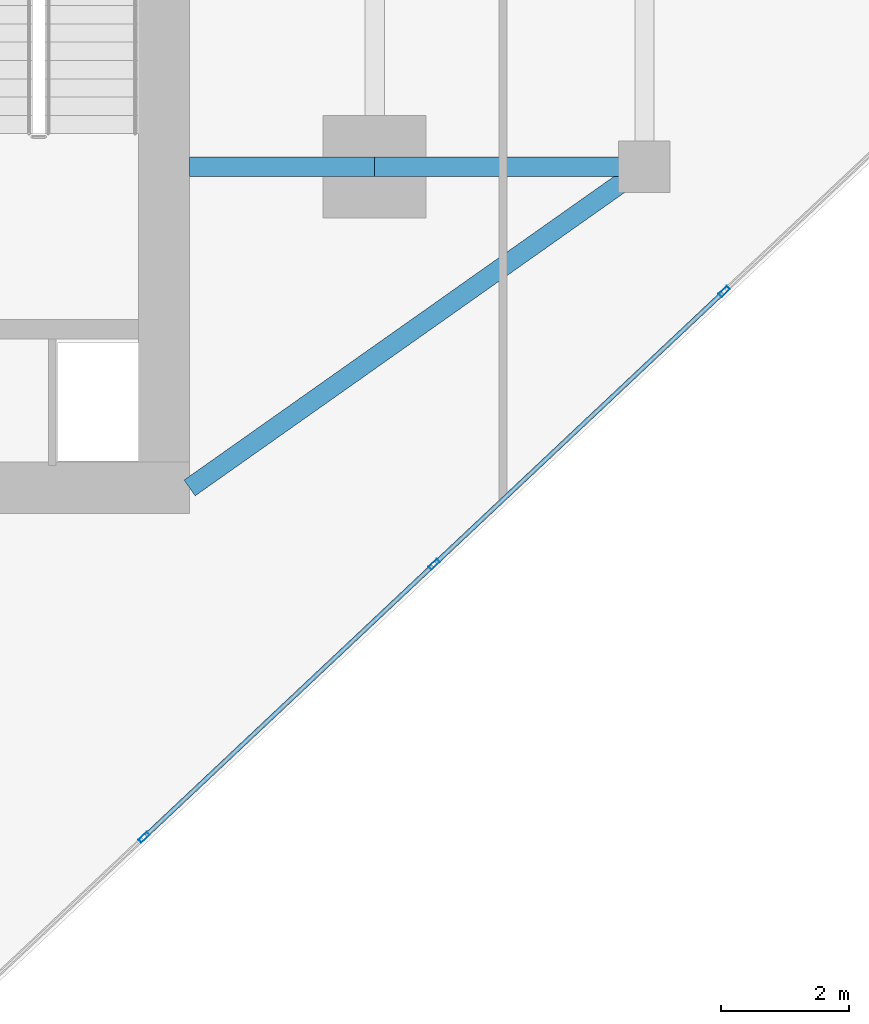
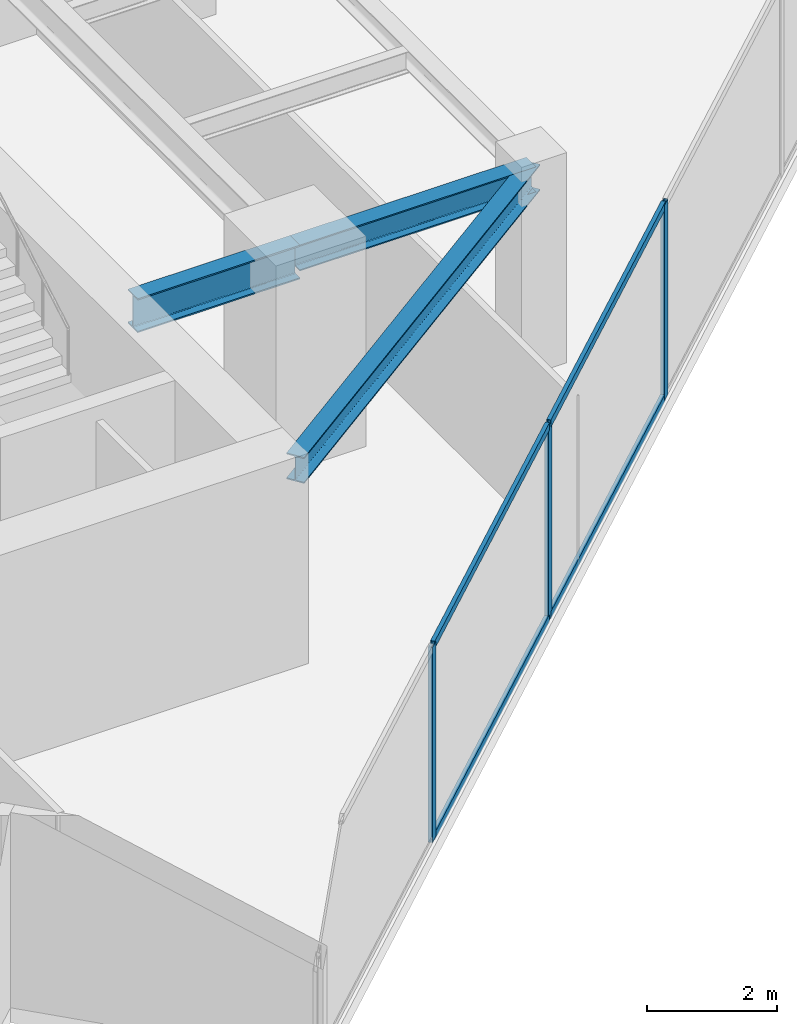
# One storey, part 9 of 24: 7 members, 3 beams, 1 element without a shape of its own.
"""IFC4 building model written with IfcOpenShell, lengths in metres."""

from ifc_helpers import new_model, si_unit, direction, frame, origin, origin_2d, place, context, subcontext, project, spatial, hollow_rectangle, i_section, extrude, source, transform, mapped, material, material_profile, profile_set, type_object, type_shapes, element, aggregate, save


model = new_model("IFC4")

# Units and contexts
model_context = context("Model", 3, precision=1e-05, world=origin(), true_north=direction((0.0, 1.0)))
body_context = subcontext(model_context, "Body", "Model", "MODEL_VIEW")
ifc_project = project(units=[si_unit("LENGTHUNIT", "METRE"), si_unit("AREAUNIT", "SQUARE_METRE"), si_unit("VOLUMEUNIT", "CUBIC_METRE"), si_unit("PLANEANGLEUNIT", "RADIAN"), si_unit("MASSUNIT", "GRAM", prefix="KILO")], contexts=[model_context])

# Site, building, storey
site_placement = place(None, origin())
site = spatial("IfcSite", under=ifc_project, at=site_placement, CompositionType="ELEMENT")
building_placement = place(site_placement, origin())
building = spatial("IfcBuilding", under=site, at=building_placement, Name="Krantzveldt Concourse Tower", CompositionType="ELEMENT")
storey_placement = place(building_placement, frame((0.0, 0.0, 246.800048828125)))
storey = spatial("IfcBuildingStorey", under=building, at=storey_placement, Name="L60", CompositionType="ELEMENT", Elevation=246.800048828125)

# Beams
ifc_material_1 = material(Name="Steel S355JR", Category="steel")
ifc_material_profile_1 = material_profile(ifc_material_1, i_section(OverallWidth=0.300048828125, OverallDepth=0.639892578125, WebThickness=0.013427734375, FlangeThickness=0.02587890625, FilletRadius=0.027099609375, at=origin_2d()), Name="Steel S355JR", Category="steel")
ifc_profile_set_1 = profile_set([ifc_material_profile_1], Name="Steel S355JR - HEA 650")
beam_type_1 = type_object("IfcBeamType", Name="BM-B-HEA650", PredefinedType="BEAM", material=ifc_profile_set_1)
shared_shape_1 = source(origin(), body_context, "Body", "SweptSolid", [
    extrude(i_section(OverallWidth=0.300048828125, OverallDepth=0.639892578125, WebThickness=0.013427734375, FlangeThickness=0.02587890625, FilletRadius=0.027099609375, at=origin_2d()), origin(), (0.0, 0.0, 1.0), 2.880126953125),
])
type_shapes(beam_type_1, [shared_shape_1])
beam_1_placement = place(storey_placement, frame((43.919921875, 15.89990234375, 3.349853515625), z_axis=(1.0, 0.0, 0.0), x_axis=(0.0, 1.0, 0.0)))
element("IfcBeam", 1, at=beam_1_placement, inside=storey, type_object=beam_type_1, Name="L60 Tower Girder BG-CE1", PredefinedType="BEAM", context=body_context, shape_type="MappedRepresentation", body=[
    mapped(shared_shape_1, transform((0.0, 0.0, 0.0), x_axis=(1.0, 0.0, 0.0), y_axis=(0.0, 1.0, 0.0), z_axis=(0.0, 0.0, 1.0), scale=1.0)),
])
ifc_material_profile_2 = material_profile(ifc_material_1, i_section(OverallWidth=0.300048828125, OverallDepth=0.489990234375, WebThickness=0.011962890625, FlangeThickness=0.02294921875, FilletRadius=0.027099609375, at=origin_2d()), Name="Steel S355JR", Category="steel")
ifc_profile_set_2 = profile_set([ifc_material_profile_2], Name="Steel S355JR - HEA 500")
beam_type_2 = type_object("IfcBeamType", Name="BM-B-HEA500", PredefinedType="BEAM", material=ifc_profile_set_2)
shared_shape_2 = source(origin(), body_context, "Body", "SweptSolid", [
    extrude(i_section(OverallWidth=0.300048828125, OverallDepth=0.489990234375, WebThickness=0.011962890625, FlangeThickness=0.02294921875, FilletRadius=0.027099609375, at=origin_2d()), origin(), (0.0, 0.0, 1.0), 4.199951171875),
])
beam_2_placement = place(storey_placement, frame((46.800048828125, 15.89990234375, 3.425048828125), z_axis=(1.0, 0.0, 0.0), x_axis=(0.0, 1.0, 0.0)))
element("IfcBeam", 2, at=beam_2_placement, inside=storey, type_object=beam_type_2, Name="L60 Tower Girder BR-RR1", PredefinedType="BEAM", context=body_context, shape_type="MappedRepresentation", body=[
    mapped(shared_shape_2, transform((0.0, 0.0, 0.0), x_axis=(1.0, 0.0, 0.0), y_axis=(0.0, 1.0, 0.0), z_axis=(0.0, 0.0, 1.0), scale=1.0)),
])
shared_shape_3 = source(origin(), body_context, "Body", "SweptSolid", [
    extrude(i_section(OverallWidth=0.300048828125, OverallDepth=0.489990234375, WebThickness=0.011962890625, FlangeThickness=0.02294921875, FilletRadius=0.027099609375, at=origin_2d()), origin(), (0.0, 0.0, 1.0), 8.667724609375),
])
type_shapes(beam_type_2, [shared_shape_2, shared_shape_3])
beam_3_placement = place(storey_placement, frame((51.0, 15.89990234375, 3.425048828125), z_axis=(-0.81684294656, -0.576860122261, 0.0), x_axis=(0.576860122261, -0.81684294656, 0.0)))
element("IfcBeam", 3, at=beam_3_placement, inside=storey, type_object=beam_type_2, Name="L60 Tower Girder BR-CSE", PredefinedType="BEAM", context=body_context, shape_type="MappedRepresentation", body=[
    mapped(shared_shape_3, transform((0.0, 0.0, 0.0), x_axis=(1.0, 0.0, 0.0), y_axis=(0.0, 1.0, 0.0), z_axis=(0.0, 0.0, 1.0), scale=1.0)),
])

# Curtain wall, members
ifc_material_2 = material(Name="Anodised aluminium 6063-T6", Category="aluminium")
curtain_wall_type = type_object("IfcCurtainWallType", Name="CW3", PredefinedType="USERDEFINED", material=ifc_material_2)
curtain_wall_placement = place(storey_placement, origin())
curtain_wall = element("IfcCurtainWall", 4, at=curtain_wall_placement, inside=storey, type_object=curtain_wall_type, Name="CW-L60-F11", ObjectType="UNITISED CURTAIN WALL", PredefinedType="USERDEFINED")
ifc_material_profile_3 = material_profile(ifc_material_2, hollow_rectangle(XDim=0.070068359375, YDim=0.179931640625, WallThickness=0.0048828125, at=origin_2d()), Name="Anodised aluminium 6063-T6", Category="aluminium")
ifc_profile_set_3 = profile_set([ifc_material_profile_3], Name="Anodised aluminium 6063-T6 - ALU-MULL 180x70x5")
member_type_1 = type_object("IfcMemberType", Name="CW-MUL-180", PredefinedType="MULLION", material=ifc_profile_set_3)
shared_shape_4 = source(origin(), body_context, "Body", "SweptSolid", [
    extrude(hollow_rectangle(XDim=0.070068359375, YDim=0.179931640625, WallThickness=0.0048828125, at=origin_2d()), origin(), (0.0, 0.0, 1.0), 3.669921875),
])
type_shapes(member_type_1, [shared_shape_4])
member_1_placement = place(storey_placement, frame((43.210693359375, 5.461669921875, 0.0), z_axis=(0.0, 0.0, 1.0), x_axis=(-0.685182945184, 0.728371012348, 0.0)))
member_1 = element("IfcMember", 5, at=member_1_placement, type_object=member_type_1, Name="CW-Z34 mullion 2", PredefinedType="MULLION", context=body_context, shape_type="MappedRepresentation", body=[
    mapped(shared_shape_4, transform((0.0, 0.0, 0.0), x_axis=(1.0, 0.0, 0.0), y_axis=(0.0, 1.0, 0.0), z_axis=(0.0, 0.0, 1.0), scale=1.0)),
])
member_2_placement = place(storey_placement, frame((47.7265625, 9.7099609375, 0.0), z_axis=(0.0, 0.0, 1.0), x_axis=(-0.685182945184, 0.728371012348, 0.0)))
member_2 = element("IfcMember", 6, at=member_2_placement, type_object=member_type_1, Name="CW-Z34 mullion 3", PredefinedType="MULLION", context=body_context, shape_type="MappedRepresentation", body=[
    mapped(shared_shape_4, transform((0.0, 0.0, 0.0), x_axis=(1.0, 0.0, 0.0), y_axis=(0.0, 1.0, 0.0), z_axis=(0.0, 0.0, 1.0), scale=1.0)),
])
member_3_placement = place(storey_placement, frame((52.242431640625, 13.9580078125, 0.0), z_axis=(0.0, 0.0, 1.0), x_axis=(-0.685182945184, 0.728371012348, 0.0)))
member_3 = element("IfcMember", 7, at=member_3_placement, type_object=member_type_1, Name="CW-Z34 mullion 4", PredefinedType="MULLION", context=body_context, shape_type="MappedRepresentation", body=[
    mapped(shared_shape_4, transform((0.0, 0.0, 0.0), x_axis=(1.0, 0.0, 0.0), y_axis=(0.0, 1.0, 0.0), z_axis=(0.0, 0.0, 1.0), scale=1.0)),
])
ifc_material_profile_4 = material_profile(ifc_material_2, hollow_rectangle(XDim=0.070068359375, YDim=0.139892578125, WallThickness=0.0048828125, at=origin_2d()), Name="Anodised aluminium 6063-T6", Category="aluminium")
ifc_profile_set_4 = profile_set([ifc_material_profile_4], Name="Anodised aluminium 6063-T6 - ALU-TRAN 140x70x5")
member_type_2 = type_object("IfcMemberType", Name="CW-TRN-150", PredefinedType="USERDEFINED", material=ifc_profile_set_4)
shared_shape_5 = source(origin(), body_context, "Body", "SweptSolid", [
    extrude(hollow_rectangle(XDim=0.070068359375, YDim=0.139892578125, WallThickness=0.0048828125, at=origin_2d()), origin(), (0.0, 0.0, 1.0), 6.1298828125),
])
type_shapes(member_type_2, [shared_shape_5])
member_4_placement = place(storey_placement, frame((43.236328125, 5.48583984375, 0.034912109375), z_axis=(0.728383543053, 0.685169624406, 0.0), x_axis=(-0.685169624406, 0.728383543053, 0.0)))
member_4 = element("IfcMember", 8, at=member_4_placement, type_object=member_type_2, Name="CW-Z34 transom 2.1", ObjectType="TRANSOM", PredefinedType="USERDEFINED", context=body_context, shape_type="MappedRepresentation", body=[
    mapped(shared_shape_5, transform((0.0, 0.0, 0.0), x_axis=(1.0, 0.0, 0.0), y_axis=(0.0, 1.0, 0.0), z_axis=(0.0, 0.0, 1.0), scale=1.0)),
])
member_5_placement = place(storey_placement, frame((43.236328125, 5.48583984375, 3.635009765625), z_axis=(0.728383543053, 0.685169624406, 0.0), x_axis=(-0.685169624406, 0.728383543053, 0.0)))
member_5 = element("IfcMember", 9, at=member_5_placement, type_object=member_type_2, Name="CW-Z34 transom 2.2", ObjectType="TRANSOM", PredefinedType="USERDEFINED", context=body_context, shape_type="MappedRepresentation", body=[
    mapped(shared_shape_5, transform((0.0, 0.0, 0.0), x_axis=(1.0, 0.0, 0.0), y_axis=(0.0, 1.0, 0.0), z_axis=(0.0, 0.0, 1.0), scale=1.0)),
])
member_6_placement = place(storey_placement, frame((47.752197265625, 9.73388671875, 0.034912109375), z_axis=(0.72836366623, 0.685190754255, 0.0), x_axis=(-0.685190754255, 0.72836366623, 0.0)))
member_6 = element("IfcMember", 10, at=member_6_placement, type_object=member_type_2, Name="CW-Z34 transom 3.1", ObjectType="TRANSOM", PredefinedType="USERDEFINED", context=body_context, shape_type="MappedRepresentation", body=[
    mapped(shared_shape_5, transform((0.0, 0.0, 0.0), x_axis=(1.0, 0.0, 0.0), y_axis=(0.0, 1.0, 0.0), z_axis=(0.0, 0.0, 1.0), scale=1.0)),
])
member_7_placement = place(storey_placement, frame((47.752197265625, 9.73388671875, 3.635009765625), z_axis=(0.72836366623, 0.685190754255, 0.0), x_axis=(-0.685190754255, 0.72836366623, 0.0)))
member_7 = element("IfcMember", 11, at=member_7_placement, type_object=member_type_2, Name="CW-Z34 transom 3.2", ObjectType="TRANSOM", PredefinedType="USERDEFINED", context=body_context, shape_type="MappedRepresentation", body=[
    mapped(shared_shape_5, transform((0.0, 0.0, 0.0), x_axis=(1.0, 0.0, 0.0), y_axis=(0.0, 1.0, 0.0), z_axis=(0.0, 0.0, 1.0), scale=1.0)),
])
aggregate(curtain_wall, [member_1, member_2, member_3, member_4, member_5, member_6, member_7])

save(model, "model.ifc")
